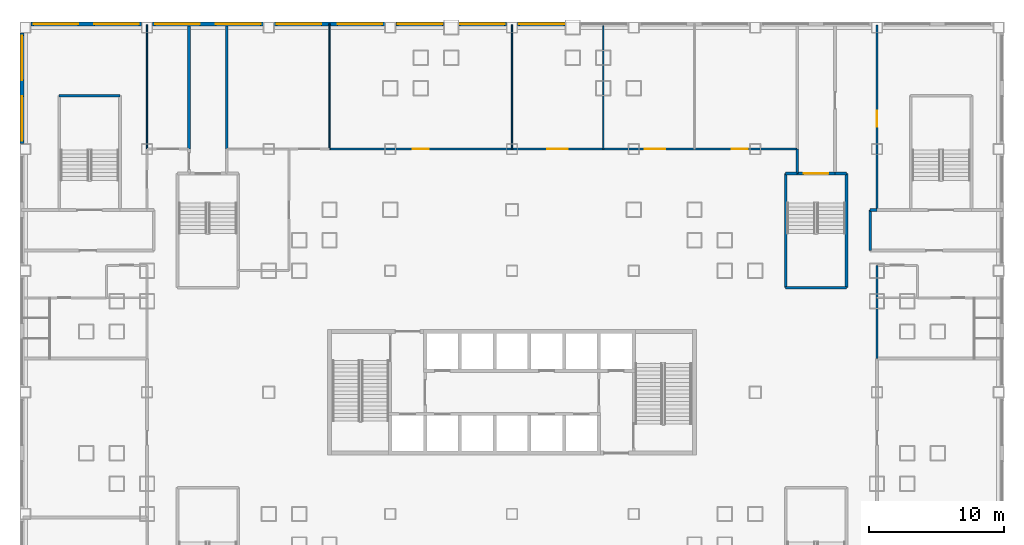
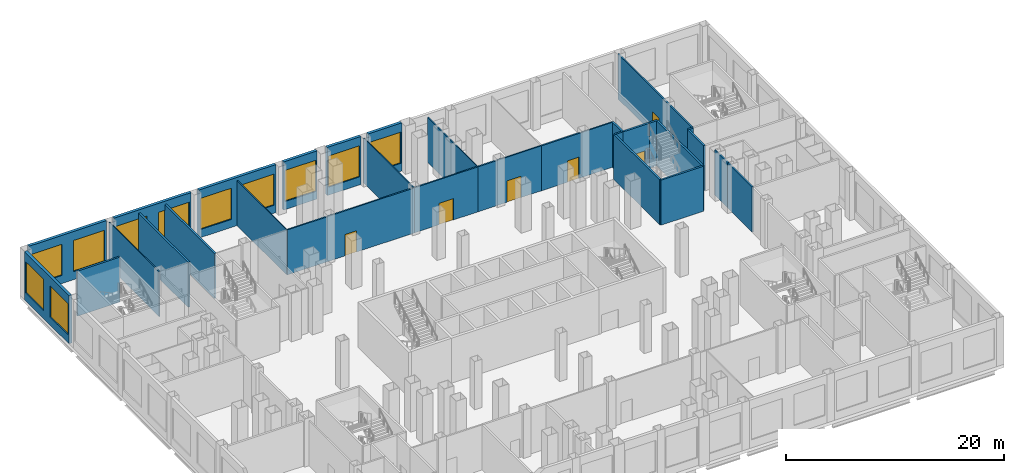
# One storey, part 6 of 26: 30 walls, 11 windows, 6 doors, 17 openings.
"""IFC4 building model written with IfcOpenShell, lengths in metres."""

from ifc_helpers import new_model, si_unit, direction, frame, frame_2d, origin, place, context, subcontext, project, spatial, rectangle, extrude, material, layer, layer_set, type_object, element, fill, save


model = new_model("IFC4")

# Units and contexts
model_context = context("Model", 3, precision=1e-05, world=origin(), true_north=direction((0.0, 1.0)))
body_context = subcontext(model_context, "Body", "Model", "MODEL_VIEW")
ifc_project = project(units=[si_unit("LENGTHUNIT", "METRE"), si_unit("AREAUNIT", "SQUARE_METRE"), si_unit("VOLUMEUNIT", "CUBIC_METRE"), si_unit("PLANEANGLEUNIT", "RADIAN"), si_unit("MASSUNIT", "GRAM", prefix="KILO")], contexts=[model_context])

# Site, building, storey
site_placement = place(None, origin())
site = spatial("IfcSite", under=ifc_project, at=site_placement, CompositionType="ELEMENT")
building_placement = place(site_placement, origin())
building = spatial("IfcBuilding", under=site, at=building_placement, Name="Caravel Reach Hotel and Residences", CompositionType="ELEMENT")
storey_placement = place(building_placement, frame((0.0, 0.0, 12.0)))
storey = spatial("IfcBuildingStorey", under=building, at=storey_placement, Name="L02", CompositionType="ELEMENT", Elevation=12.0)

# Walls
ifc_material_1 = material(Name="Autoclaved aerated block wall")
ifc_layer_1 = layer(ifc_material_1, 0.199951171875)
ifc_layer_set_1 = layer_set([ifc_layer_1], Name="Compartment wall 200 mm EI 120")
wall_type_1 = type_object("IfcWallType", Name="Compartment wall 200 mm EI 120", PredefinedType="PARTITIONING", material=ifc_layer_set_1)
wall_1_placement = place(storey_placement, frame((58.0, 40.5, 0.0), z_axis=(0.0, 0.0, 1.0), x_axis=(1.0, 0.0, 0.0)))
element("IfcWall", 1, at=wall_1_placement, inside=storey, type_object=wall_type_1, Name="L02 wall w052", PredefinedType="PARTITIONING", context=body_context, shape_type="SweptSolid", body=[
    extrude(rectangle(XDim=0.5, YDim=0.199951171875, at=frame_2d((0.25, 0.0))), origin(), (0.0, 0.0, 1.0), 5.050048828125),
])
wall_2_placement = place(storey_placement, frame((10.39990234375, 45.0, 0.0), z_axis=(0.0, 0.0, 1.0), x_axis=(0.0, 1.0, 0.0)))
element("IfcWall", 2, at=wall_2_placement, inside=storey, type_object=wall_type_1, Name="L02 wall w058", PredefinedType="PARTITIONING", context=body_context, shape_type="SweptSolid", body=[
    extrude(rectangle(XDim=9.1201171875, YDim=0.199951171875, at=frame_2d((4.56005859375, 0.0))), origin(), (0.0, 0.0, 1.0), 5.050048828125),
])
wall_3_placement = place(storey_placement, frame((52.60009765625, 43.199951171875, 0.0), z_axis=(0.0, 0.0, 1.0), x_axis=(0.0, 1.0, 0.0)))
element("IfcWall", 3, at=wall_3_placement, inside=storey, type_object=wall_type_1, Name="L02 wall w067", PredefinedType="PARTITIONING", context=body_context, shape_type="SweptSolid", body=[
    extrude(rectangle(XDim=1.800048828125, YDim=0.199951171875, at=frame_2d((0.89990234375, 0.0))), origin(), (0.0, 0.0, 1.0), 5.050048828125),
])
wall_4_placement = place(storey_placement, frame((58.0, 37.5, 0.0), z_axis=(0.0, 0.0, 1.0), x_axis=(0.0, 1.0, 0.0)))
element("IfcWall", 4, at=wall_4_placement, inside=storey, type_object=wall_type_1, Name="L02 wall w074", PredefinedType="PARTITIONING", context=body_context, shape_type="SweptSolid", body=[
    extrude(rectangle(XDim=3.0, YDim=0.199951171875, at=frame_2d((1.5, 0.0))), origin(), (0.0, 0.0, 1.0), 5.050048828125),
])
wall_5_placement = place(storey_placement, frame((7.60009765625, 45.0, 0.0), z_axis=(0.0, 0.0, 1.0), x_axis=(0.0, 1.0, 0.0)))
element("IfcWall", 5, at=wall_5_placement, inside=storey, type_object=wall_type_1, Name="L02 wall w079", PredefinedType="PARTITIONING", context=body_context, shape_type="SweptSolid", body=[
    extrude(rectangle(XDim=9.1201171875, YDim=0.199951171875, at=frame_2d((4.56005859375, 0.0))), origin(), (0.0, 0.0, 1.0), 5.050048828125),
])

# Wall, opening, door
ifc_material_2 = material(Name="Gypsum board on steel stud, fire-rated", Category="steel")
ifc_layer_2 = layer(ifc_material_2, 0.14990234375)
ifc_layer_set_2 = layer_set([ifc_layer_2], Name="Corridor wall 150 mm EI 60")
wall_type_2 = type_object("IfcWallType", Name="Corridor wall 150 mm EI 60", PredefinedType="PARTITIONING", material=ifc_layer_set_2)
wall_6_placement = place(storey_placement, frame((18.0, 45.0, 0.0), z_axis=(0.0, 0.0, 1.0), x_axis=(1.0, 0.0, 0.0)))
wall_6 = element("IfcWall", 6, at=wall_6_placement, inside=storey, type_object=wall_type_2, Name="L02 wall w008", PredefinedType="PARTITIONING", context=body_context, shape_type="SweptSolid", body=[
    extrude(rectangle(XDim=13.5, YDim=0.14990234375, at=frame_2d((6.75, 0.0))), origin(), (0.0, 0.0, 1.0), 5.050048828125),
])
opening_1_placement = place(wall_6_placement, frame((6.14990234375, 0.0, 0.0)))
opening_1 = element("IfcOpeningElement", 7, at=opening_1_placement, cuts=wall_6, Name="Opening D02-045", PredefinedType="OPENING", context=body_context, shape_type="SweptSolid", body=[
    extrude(rectangle(XDim=1.199951171875, YDim=2.39990234375, at=frame_2d((0.60009765625, 1.199951171875))), frame((0.0, 0.0849609375, 0.0), z_axis=(0.0, -1.0, 0.0), x_axis=(1.0, 0.0, 0.0)), (0.0, 0.0, 1.0), 0.169921875),
])
ifc_material_3 = material(Name="Timber and steel door leaf", Category="steel")
door_type_1 = type_object("IfcDoorType", Name="Glazed door 1200 x 2400", OperationType="SINGLE_SWING_LEFT", PredefinedType="DOOR", material=ifc_material_3)
door_1_placement = place(opening_1_placement, origin())
door_1 = element("IfcDoor", 8, at=door_1_placement, inside=storey, type_object=door_type_1, Name="door D02-045", OperationType="SINGLE_SWING_RIGHT", OverallHeight=2.39990234375, OverallWidth=1.199951171875, PredefinedType="DOOR", context=body_context, shape_type="SweptSolid", body=[
    extrude(rectangle(XDim=1.199951171875, YDim=2.39990234375, at=frame_2d((0.60009765625, 1.199951171875))), frame((0.0, 0.02490234375, 0.0), z_axis=(0.0, -1.0, 0.0), x_axis=(1.0, 0.0, 0.0)), (0.0, 0.0, 1.0), 0.050048828125),
])
fill(opening_1, door_1)

wall_7_placement = place(storey_placement, frame((31.5, 45.0, 0.0), z_axis=(0.0, 0.0, 1.0), x_axis=(1.0, 0.0, 0.0)))
wall_7 = element("IfcWall", 9, at=wall_7_placement, inside=storey, type_object=wall_type_2, Name="L02 wall w009", PredefinedType="PARTITIONING", context=body_context, shape_type="SweptSolid", body=[
    extrude(rectangle(XDim=6.75, YDim=0.14990234375, at=frame_2d((3.375, 0.0))), origin(), (0.0, 0.0, 1.0), 5.050048828125),
])
opening_2_placement = place(wall_7_placement, frame((2.625, 0.0, 0.0)))
opening_2 = element("IfcOpeningElement", 10, at=opening_2_placement, cuts=wall_7, Name="Opening D02-046", PredefinedType="OPENING", context=body_context, shape_type="SweptSolid", body=[
    extrude(rectangle(XDim=1.5, YDim=2.39990234375, at=frame_2d((0.75, 1.199951171875))), frame((0.0, 0.0849609375, 0.0), z_axis=(0.0, -1.0, 0.0), x_axis=(1.0, 0.0, 0.0)), (0.0, 0.0, 1.0), 0.169921875),
])
ifc_material_4 = material(Name="Timber and steel door leaf", Category="steel")
door_type_2 = type_object("IfcDoorType", Name="Shopfront door 1500 x 2400", OperationType="DOUBLE_DOOR_SINGLE_SWING", PredefinedType="DOOR", material=ifc_material_4)
door_2_placement = place(opening_2_placement, origin())
door_2 = element("IfcDoor", 11, at=door_2_placement, inside=storey, type_object=door_type_2, Name="door D02-046", OperationType="DOUBLE_DOOR_SINGLE_SWING", OverallHeight=2.39990234375, OverallWidth=1.5, PredefinedType="DOOR", context=body_context, shape_type="SweptSolid", body=[
    extrude(rectangle(XDim=1.5, YDim=2.39990234375, at=frame_2d((0.75, 1.199951171875))), frame((0.0, 0.02490234375, 0.0), z_axis=(0.0, -1.0, 0.0), x_axis=(1.0, 0.0, 0.0)), (0.0, 0.0, 1.0), 0.050048828125),
])
fill(opening_2, door_2)

wall_8_placement = place(storey_placement, frame((38.25, 45.0, 0.0), z_axis=(0.0, 0.0, 1.0), x_axis=(1.0, 0.0, 0.0)))
wall_8 = element("IfcWall", 12, at=wall_8_placement, inside=storey, type_object=wall_type_2, Name="L02 wall w010", PredefinedType="PARTITIONING", context=body_context, shape_type="SweptSolid", body=[
    extrude(rectangle(XDim=6.75, YDim=0.14990234375, at=frame_2d((3.375, 0.0))), origin(), (0.0, 0.0, 1.0), 5.050048828125),
])
opening_3_placement = place(wall_8_placement, frame((3.074951171875, 0.0, 0.0)))
opening_3 = element("IfcOpeningElement", 13, at=opening_3_placement, cuts=wall_8, Name="Opening D02-047", PredefinedType="OPENING", context=body_context, shape_type="SweptSolid", body=[
    extrude(rectangle(XDim=1.5, YDim=2.39990234375, at=frame_2d((0.75, 1.199951171875))), frame((0.0, 0.0849609375, 0.0), z_axis=(0.0, -1.0, 0.0), x_axis=(1.0, 0.0, 0.0)), (0.0, 0.0, 1.0), 0.169921875),
])
door_3_placement = place(opening_3_placement, origin())
door_3 = element("IfcDoor", 14, at=door_3_placement, inside=storey, type_object=door_type_2, Name="door D02-047", OperationType="DOUBLE_DOOR_SINGLE_SWING", OverallHeight=2.39990234375, OverallWidth=1.5, PredefinedType="DOOR", context=body_context, shape_type="SweptSolid", body=[
    extrude(rectangle(XDim=1.5, YDim=2.39990234375, at=frame_2d((0.75, 1.199951171875))), frame((0.0, 0.02490234375, 0.0), z_axis=(0.0, -1.0, 0.0), x_axis=(1.0, 0.0, 0.0)), (0.0, 0.0, 1.0), 0.050048828125),
])
fill(opening_3, door_3)

wall_9_placement = place(storey_placement, frame((45.0, 45.0, 0.0), z_axis=(0.0, 0.0, 1.0), x_axis=(1.0, 0.0, 0.0)))
wall_9 = element("IfcWall", 15, at=wall_9_placement, inside=storey, type_object=wall_type_2, Name="L02 wall w011", PredefinedType="PARTITIONING", context=body_context, shape_type="SweptSolid", body=[
    extrude(rectangle(XDim=7.60009765625, YDim=0.14990234375, at=frame_2d((3.800048828125, 0.0))), origin(), (0.0, 0.0, 1.0), 5.050048828125),
])
opening_4_placement = place(wall_9_placement, frame((2.75, 0.0, 0.0)))
opening_4 = element("IfcOpeningElement", 16, at=opening_4_placement, cuts=wall_9, Name="Opening D02-048", PredefinedType="OPENING", context=body_context, shape_type="SweptSolid", body=[
    extrude(rectangle(XDim=1.199951171875, YDim=2.39990234375, at=frame_2d((0.60009765625, 1.199951171875))), frame((0.0, 0.0849609375, 0.0), z_axis=(0.0, -1.0, 0.0), x_axis=(1.0, 0.0, 0.0)), (0.0, 0.0, 1.0), 0.169921875),
])
door_4_placement = place(opening_4_placement, origin())
door_4 = element("IfcDoor", 17, at=door_4_placement, inside=storey, type_object=door_type_1, Name="door D02-048", OperationType="SINGLE_SWING_LEFT", OverallHeight=2.39990234375, OverallWidth=1.199951171875, PredefinedType="DOOR", context=body_context, shape_type="SweptSolid", body=[
    extrude(rectangle(XDim=1.199951171875, YDim=2.39990234375, at=frame_2d((0.60009765625, 1.199951171875))), frame((0.0, 0.02490234375, 0.0), z_axis=(0.0, -1.0, 0.0), x_axis=(1.0, 0.0, 0.0)), (0.0, 0.0, 1.0), 0.050048828125),
])
fill(opening_4, door_4)

# Walls
wall_10_placement = place(storey_placement, frame((58.5, 29.5, 0.0), z_axis=(0.0, 0.0, 1.0), x_axis=(0.0, 1.0, 0.0)))
element("IfcWall", 18, at=wall_10_placement, inside=storey, type_object=wall_type_2, Name="L02 wall w023", PredefinedType="PARTITIONING", context=body_context, shape_type="SweptSolid", body=[
    extrude(rectangle(XDim=4.5, YDim=0.14990234375, at=frame_2d((2.25, 0.0))), origin(), (0.0, 0.0, 1.0), 5.050048828125),
])
wall_11_placement = place(storey_placement, frame((58.5, 34.0, 0.0), z_axis=(0.0, 0.0, 1.0), x_axis=(0.0, 1.0, 0.0)))
element("IfcWall", 19, at=wall_11_placement, inside=storey, type_object=wall_type_2, Name="L02 wall w024", PredefinedType="PARTITIONING", context=body_context, shape_type="SweptSolid", body=[
    extrude(rectangle(XDim=2.39990234375, YDim=0.14990234375, at=frame_2d((1.199951171875, 0.0))), origin(), (0.0, 0.0, 1.0), 5.050048828125),
])

# Wall, opening, door
wall_12_placement = place(storey_placement, frame((58.5, 40.5, 0.0), z_axis=(0.0, 0.0, 1.0), x_axis=(0.0, 1.0, 0.0)))
wall_12 = element("IfcWall", 20, at=wall_12_placement, inside=storey, type_object=wall_type_2, Name="L02 wall w025", PredefinedType="PARTITIONING", context=body_context, shape_type="SweptSolid", body=[
    extrude(rectangle(XDim=13.68994140625, YDim=0.14990234375, at=frame_2d((6.844970703125, 0.0))), origin(), (0.0, 0.0, 1.0), 5.050048828125),
])
opening_5_placement = place(wall_12_placement, frame((6.14990234375, 0.0, 0.0)))
opening_5 = element("IfcOpeningElement", 21, at=opening_5_placement, cuts=wall_12, Name="Opening D02-037", PredefinedType="OPENING", context=body_context, shape_type="SweptSolid", body=[
    extrude(rectangle(XDim=1.199951171875, YDim=2.39990234375, at=frame_2d((0.60009765625, 1.199951171875))), frame((0.0, 0.0849609375, 0.0), z_axis=(0.0, -1.0, 0.0), x_axis=(1.0, 0.0, 0.0)), (0.0, 0.0, 1.0), 0.169921875),
])
door_5_placement = place(opening_5_placement, origin())
door_5 = element("IfcDoor", 22, at=door_5_placement, inside=storey, type_object=door_type_1, Name="door D02-037", OperationType="SINGLE_SWING_RIGHT", OverallHeight=2.39990234375, OverallWidth=1.199951171875, PredefinedType="DOOR", context=body_context, shape_type="SweptSolid", body=[
    extrude(rectangle(XDim=1.199951171875, YDim=2.39990234375, at=frame_2d((0.60009765625, 1.199951171875))), frame((0.0, 0.02490234375, 0.0), z_axis=(0.0, -1.0, 0.0), x_axis=(1.0, 0.0, 0.0)), (0.0, 0.0, 1.0), 0.050048828125),
])
fill(opening_5, door_5)

# Wall, opening, window
ifc_material_5 = material(Name="Insulated wall, stone cladding", Category="masonry")
ifc_layer_3 = layer(ifc_material_5, 0.300048828125)
ifc_layer_set_3 = layer_set([ifc_layer_3], Name="EW2 Podium stone-clad wall")
wall_type_3 = type_object("IfcWallType", Name="EW2 Podium stone-clad wall", PredefinedType="SOLIDWALL", material=ifc_layer_set_3)
wall_13_placement = place(storey_placement, frame((35.449951171875, 54.25, 0.0), z_axis=(0.0, 0.0, 1.0), x_axis=(-1.0, 0.0, 0.0)))
wall_13 = element("IfcWall", 23, at=wall_13_placement, inside=storey, type_object=wall_type_3, Name="External wall L02 N2.5", PredefinedType="SOLIDWALL", context=body_context, shape_type="SweptSolid", body=[
    extrude(rectangle(XDim=3.550048828125, YDim=0.300048828125, at=frame_2d((1.77490234375, 0.0))), origin(), (0.0, 0.0, 1.0), 5.39990234375),
])
opening_6_placement = place(wall_13_placement, frame((0.10009765625, 0.0, 0.89990234375)))
opening_6 = element("IfcOpeningElement", 24, at=opening_6_placement, cuts=wall_13, Name="Opening WN30", PredefinedType="OPENING", context=body_context, shape_type="SweptSolid", body=[
    extrude(rectangle(XDim=3.300048828125, YDim=3.5, at=frame_2d((1.64990234375, 1.75))), frame((0.0, 0.159912109375, 0.0), z_axis=(0.0, -1.0, 0.0), x_axis=(1.0, 0.0, 0.0)), (0.0, 0.0, 1.0), 0.320068359375),
])
ifc_material_6 = material(Name="Dark low-e glazing in black aluminium frame", Category="aluminium")
window_type = type_object("IfcWindowType", Name="Podium window 3300 x 3500", PartitioningType="SINGLE_PANEL", PredefinedType="WINDOW", material=ifc_material_6)
window_1_placement = place(opening_6_placement, origin())
window_1 = element("IfcWindow", 25, at=window_1_placement, inside=storey, type_object=window_type, Name="Window L02 N2.5.1", OverallHeight=3.5, OverallWidth=3.300048828125, PartitioningType="SINGLE_PANEL", PredefinedType="WINDOW", context=body_context, shape_type="SweptSolid", body=[
    extrude(rectangle(XDim=3.300048828125, YDim=3.5, at=frame_2d((1.64990234375, 1.75))), frame((0.0, 0.030029296875, 0.0), z_axis=(0.0, -1.0, 0.0), x_axis=(1.0, 0.0, 0.0)), (0.0, 0.0, 1.0), 0.06005859375),
])
fill(opening_6, window_1)

wall_14_placement = place(storey_placement, frame((31.10009765625, 54.25, 0.0), z_axis=(0.0, 0.0, 1.0), x_axis=(-1.0, 0.0, 0.0)))
wall_14 = element("IfcWall", 26, at=wall_14_placement, inside=storey, type_object=wall_type_3, Name="External wall L02 N2.6", PredefinedType="SOLIDWALL", context=body_context, shape_type="SweptSolid", body=[
    extrude(rectangle(XDim=3.550048828125, YDim=0.300048828125, at=frame_2d((1.77490234375, 0.0))), origin(), (0.0, 0.0, 1.0), 5.39990234375),
])
opening_7_placement = place(wall_14_placement, frame((0.14990234375, 0.0, 0.89990234375)))
opening_7 = element("IfcOpeningElement", 27, at=opening_7_placement, cuts=wall_14, Name="Opening WN30", PredefinedType="OPENING", context=body_context, shape_type="SweptSolid", body=[
    extrude(rectangle(XDim=3.300048828125, YDim=3.5, at=frame_2d((1.64990234375, 1.75))), frame((0.0, 0.159912109375, 0.0), z_axis=(0.0, -1.0, 0.0), x_axis=(1.0, 0.0, 0.0)), (0.0, 0.0, 1.0), 0.320068359375),
])
window_2_placement = place(opening_7_placement, origin())
window_2 = element("IfcWindow", 28, at=window_2_placement, inside=storey, type_object=window_type, Name="Window L02 N2.6.1", OverallHeight=3.5, OverallWidth=3.300048828125, PartitioningType="SINGLE_PANEL", PredefinedType="WINDOW", context=body_context, shape_type="SweptSolid", body=[
    extrude(rectangle(XDim=3.300048828125, YDim=3.5, at=frame_2d((1.64990234375, 1.75))), frame((0.0, 0.030029296875, 0.0), z_axis=(0.0, -1.0, 0.0), x_axis=(1.0, 0.0, 0.0)), (0.0, 0.0, 1.0), 0.06005859375),
])
fill(opening_7, window_2)

wall_15_placement = place(storey_placement, frame((26.449951171875, 54.25, 0.0), z_axis=(0.0, 0.0, 1.0), x_axis=(-1.0, 0.0, 0.0)))
wall_15 = element("IfcWall", 29, at=wall_15_placement, inside=storey, type_object=wall_type_3, Name="External wall L02 N2.7", PredefinedType="SOLIDWALL", context=body_context, shape_type="SweptSolid", body=[
    extrude(rectangle(XDim=3.550048828125, YDim=0.300048828125, at=frame_2d((1.77490234375, 0.0))), origin(), (0.0, 0.0, 1.0), 5.39990234375),
])
opening_8_placement = place(wall_15_placement, frame((0.10009765625, 0.0, 0.89990234375)))
opening_8 = element("IfcOpeningElement", 30, at=opening_8_placement, cuts=wall_15, Name="Opening WN30", PredefinedType="OPENING", context=body_context, shape_type="SweptSolid", body=[
    extrude(rectangle(XDim=3.300048828125, YDim=3.5, at=frame_2d((1.64990234375, 1.75))), frame((0.0, 0.159912109375, 0.0), z_axis=(0.0, -1.0, 0.0), x_axis=(1.0, 0.0, 0.0)), (0.0, 0.0, 1.0), 0.320068359375),
])
window_3_placement = place(opening_8_placement, origin())
window_3 = element("IfcWindow", 31, at=window_3_placement, inside=storey, type_object=window_type, Name="Window L02 N2.7.1", OverallHeight=3.5, OverallWidth=3.300048828125, PartitioningType="SINGLE_PANEL", PredefinedType="WINDOW", context=body_context, shape_type="SweptSolid", body=[
    extrude(rectangle(XDim=3.300048828125, YDim=3.5, at=frame_2d((1.64990234375, 1.75))), frame((0.0, 0.030029296875, 0.0), z_axis=(0.0, -1.0, 0.0), x_axis=(1.0, 0.0, 0.0)), (0.0, 0.0, 1.0), 0.06005859375),
])
fill(opening_8, window_3)

# Wall, openings, windows
wall_16_placement = place(storey_placement, frame((22.10009765625, 54.25, 0.0), z_axis=(0.0, 0.0, 1.0), x_axis=(-1.0, 0.0, 0.0)))
wall_16 = element("IfcWall", 32, at=wall_16_placement, inside=storey, type_object=wall_type_3, Name="External wall L02 N2.8", PredefinedType="SOLIDWALL", context=body_context, shape_type="SweptSolid", body=[
    extrude(rectangle(XDim=8.2001953125, YDim=0.300048828125, at=frame_2d((4.10009765625, 0.0))), origin(), (0.0, 0.0, 1.0), 5.39990234375),
])
opening_9_placement = place(wall_16_placement, frame((0.199951171875, 0.0, 0.89990234375)))
opening_9 = element("IfcOpeningElement", 33, at=opening_9_placement, cuts=wall_16, Name="Opening WN30", PredefinedType="OPENING", context=body_context, shape_type="SweptSolid", body=[
    extrude(rectangle(XDim=3.300048828125, YDim=3.5, at=frame_2d((1.64990234375, 1.75))), frame((0.0, 0.159912109375, 0.0), z_axis=(0.0, -1.0, 0.0), x_axis=(1.0, 0.0, 0.0)), (0.0, 0.0, 1.0), 0.320068359375),
])
opening_10_placement = place(wall_16_placement, frame((4.699951171875, 0.0, 0.89990234375)))
opening_10 = element("IfcOpeningElement", 34, at=opening_10_placement, cuts=wall_16, Name="Opening WN30", PredefinedType="OPENING", context=body_context, shape_type="SweptSolid", body=[
    extrude(rectangle(XDim=3.300048828125, YDim=3.5, at=frame_2d((1.64990234375, 1.75))), frame((0.0, 0.159912109375, 0.0), z_axis=(0.0, -1.0, 0.0), x_axis=(1.0, 0.0, 0.0)), (0.0, 0.0, 1.0), 0.320068359375),
])
window_4_placement = place(opening_9_placement, origin())
window_4 = element("IfcWindow", 35, at=window_4_placement, inside=storey, type_object=window_type, Name="Window L02 N2.8.1", OverallHeight=3.5, OverallWidth=3.300048828125, PartitioningType="SINGLE_PANEL", PredefinedType="WINDOW", context=body_context, shape_type="SweptSolid", body=[
    extrude(rectangle(XDim=3.300048828125, YDim=3.5, at=frame_2d((1.64990234375, 1.75))), frame((0.0, 0.030029296875, 0.0), z_axis=(0.0, -1.0, 0.0), x_axis=(1.0, 0.0, 0.0)), (0.0, 0.0, 1.0), 0.06005859375),
])
fill(opening_9, window_4)
window_5_placement = place(opening_10_placement, origin())
window_5 = element("IfcWindow", 36, at=window_5_placement, inside=storey, type_object=window_type, Name="Window L02 N2.8.2", OverallHeight=3.5, OverallWidth=3.300048828125, PartitioningType="SINGLE_PANEL", PredefinedType="WINDOW", context=body_context, shape_type="SweptSolid", body=[
    extrude(rectangle(XDim=3.300048828125, YDim=3.5, at=frame_2d((1.64990234375, 1.75))), frame((0.0, 0.030029296875, 0.0), z_axis=(0.0, -1.0, 0.0), x_axis=(1.0, 0.0, 0.0)), (0.0, 0.0, 1.0), 0.06005859375),
])
fill(opening_10, window_5)

wall_17_placement = place(storey_placement, frame((13.10009765625, 54.25, 0.0), z_axis=(0.0, 0.0, 1.0), x_axis=(-1.0, 0.0, 0.0)))
wall_17 = element("IfcWall", 37, at=wall_17_placement, inside=storey, type_object=wall_type_3, Name="External wall L02 N2.9", PredefinedType="SOLIDWALL", context=body_context, shape_type="SweptSolid", body=[
    extrude(rectangle(XDim=8.2001953125, YDim=0.300048828125, at=frame_2d((4.10009765625, 0.0))), origin(), (0.0, 0.0, 1.0), 5.39990234375),
])
opening_11_placement = place(wall_17_placement, frame((0.199951171875, 0.0, 0.89990234375)))
opening_11 = element("IfcOpeningElement", 38, at=opening_11_placement, cuts=wall_17, Name="Opening WN30", PredefinedType="OPENING", context=body_context, shape_type="SweptSolid", body=[
    extrude(rectangle(XDim=3.300048828125, YDim=3.5, at=frame_2d((1.64990234375, 1.75))), frame((0.0, 0.159912109375, 0.0), z_axis=(0.0, -1.0, 0.0), x_axis=(1.0, 0.0, 0.0)), (0.0, 0.0, 1.0), 0.320068359375),
])
opening_12_placement = place(wall_17_placement, frame((4.699951171875, 0.0, 0.89990234375)))
opening_12 = element("IfcOpeningElement", 39, at=opening_12_placement, cuts=wall_17, Name="Opening WN30", PredefinedType="OPENING", context=body_context, shape_type="SweptSolid", body=[
    extrude(rectangle(XDim=3.300048828125, YDim=3.5, at=frame_2d((1.64990234375, 1.75))), frame((0.0, 0.159912109375, 0.0), z_axis=(0.0, -1.0, 0.0), x_axis=(1.0, 0.0, 0.0)), (0.0, 0.0, 1.0), 0.320068359375),
])
window_6_placement = place(opening_11_placement, origin())
window_6 = element("IfcWindow", 40, at=window_6_placement, inside=storey, type_object=window_type, Name="Window L02 N2.9.1", OverallHeight=3.5, OverallWidth=3.300048828125, PartitioningType="SINGLE_PANEL", PredefinedType="WINDOW", context=body_context, shape_type="SweptSolid", body=[
    extrude(rectangle(XDim=3.300048828125, YDim=3.5, at=frame_2d((1.64990234375, 1.75))), frame((0.0, 0.030029296875, 0.0), z_axis=(0.0, -1.0, 0.0), x_axis=(1.0, 0.0, 0.0)), (0.0, 0.0, 1.0), 0.06005859375),
])
fill(opening_11, window_6)
window_7_placement = place(opening_12_placement, origin())
window_7 = element("IfcWindow", 41, at=window_7_placement, inside=storey, type_object=window_type, Name="Window L02 N2.9.2", OverallHeight=3.5, OverallWidth=3.300048828125, PartitioningType="SINGLE_PANEL", PredefinedType="WINDOW", context=body_context, shape_type="SweptSolid", body=[
    extrude(rectangle(XDim=3.300048828125, YDim=3.5, at=frame_2d((1.64990234375, 1.75))), frame((0.0, 0.030029296875, 0.0), z_axis=(0.0, -1.0, 0.0), x_axis=(1.0, 0.0, 0.0)), (0.0, 0.0, 1.0), 0.06005859375),
])
fill(opening_12, window_7)

wall_18_placement = place(storey_placement, frame((4.10009765625, 54.25, 0.0), z_axis=(0.0, 0.0, 1.0), x_axis=(-1.0, 0.0, 0.0)))
wall_18 = element("IfcWall", 42, at=wall_18_placement, inside=storey, type_object=wall_type_3, Name="External wall L02 N2.10", PredefinedType="SOLIDWALL", context=body_context, shape_type="SweptSolid", body=[
    extrude(rectangle(XDim=8.2001953125, YDim=0.300048828125, at=frame_2d((4.10009765625, 0.0))), origin(), (0.0, 0.0, 1.0), 5.39990234375),
])
opening_13_placement = place(wall_18_placement, frame((0.199951171875, 0.0, 0.89990234375)))
opening_13 = element("IfcOpeningElement", 43, at=opening_13_placement, cuts=wall_18, Name="Opening WN30", PredefinedType="OPENING", context=body_context, shape_type="SweptSolid", body=[
    extrude(rectangle(XDim=3.300048828125, YDim=3.5, at=frame_2d((1.64990234375, 1.75))), frame((0.0, 0.159912109375, 0.0), z_axis=(0.0, -1.0, 0.0), x_axis=(1.0, 0.0, 0.0)), (0.0, 0.0, 1.0), 0.320068359375),
])
opening_14_placement = place(wall_18_placement, frame((4.699951171875, 0.0, 0.89990234375)))
opening_14 = element("IfcOpeningElement", 44, at=opening_14_placement, cuts=wall_18, Name="Opening WN30", PredefinedType="OPENING", context=body_context, shape_type="SweptSolid", body=[
    extrude(rectangle(XDim=3.300048828125, YDim=3.5, at=frame_2d((1.64990234375, 1.75))), frame((0.0, 0.159912109375, 0.0), z_axis=(0.0, -1.0, 0.0), x_axis=(1.0, 0.0, 0.0)), (0.0, 0.0, 1.0), 0.320068359375),
])
window_8_placement = place(opening_13_placement, origin())
window_8 = element("IfcWindow", 45, at=window_8_placement, inside=storey, type_object=window_type, Name="Window L02 N2.10.1", OverallHeight=3.5, OverallWidth=3.300048828125, PartitioningType="SINGLE_PANEL", PredefinedType="WINDOW", context=body_context, shape_type="SweptSolid", body=[
    extrude(rectangle(XDim=3.300048828125, YDim=3.5, at=frame_2d((1.64990234375, 1.75))), frame((0.0, 0.030029296875, 0.0), z_axis=(0.0, -1.0, 0.0), x_axis=(1.0, 0.0, 0.0)), (0.0, 0.0, 1.0), 0.06005859375),
])
fill(opening_13, window_8)
window_9_placement = place(opening_14_placement, origin())
window_9 = element("IfcWindow", 46, at=window_9_placement, inside=storey, type_object=window_type, Name="Window L02 N2.10.2", OverallHeight=3.5, OverallWidth=3.300048828125, PartitioningType="SINGLE_PANEL", PredefinedType="WINDOW", context=body_context, shape_type="SweptSolid", body=[
    extrude(rectangle(XDim=3.300048828125, YDim=3.5, at=frame_2d((1.64990234375, 1.75))), frame((0.0, 0.030029296875, 0.0), z_axis=(0.0, -1.0, 0.0), x_axis=(1.0, 0.0, 0.0)), (0.0, 0.0, 1.0), 0.06005859375),
])
fill(opening_14, window_9)

wall_19_placement = place(storey_placement, frame((-4.75, 53.60009765625, 0.0), z_axis=(0.0, 0.0, 1.0), x_axis=(0.0, -1.0, 0.0)))
wall_19 = element("IfcWall", 47, at=wall_19_placement, inside=storey, type_object=wall_type_3, Name="External wall L02 W3.1", PredefinedType="SOLIDWALL", context=body_context, shape_type="SweptSolid", body=[
    extrude(rectangle(XDim=8.2001953125, YDim=0.300048828125, at=frame_2d((4.10009765625, 0.0))), origin(), (0.0, 0.0, 1.0), 5.39990234375),
])
opening_15_placement = place(wall_19_placement, frame((0.199951171875, 0.0, 0.89990234375)))
opening_15 = element("IfcOpeningElement", 48, at=opening_15_placement, cuts=wall_19, Name="Opening WN30", PredefinedType="OPENING", context=body_context, shape_type="SweptSolid", body=[
    extrude(rectangle(XDim=3.300048828125, YDim=3.5, at=frame_2d((1.64990234375, 1.75))), frame((0.0, 0.159912109375, 0.0), z_axis=(0.0, -1.0, 0.0), x_axis=(1.0, 0.0, 0.0)), (0.0, 0.0, 1.0), 0.320068359375),
])
opening_16_placement = place(wall_19_placement, frame((4.699951171875, 0.0, 0.89990234375)))
opening_16 = element("IfcOpeningElement", 49, at=opening_16_placement, cuts=wall_19, Name="Opening WN30", PredefinedType="OPENING", context=body_context, shape_type="SweptSolid", body=[
    extrude(rectangle(XDim=3.300048828125, YDim=3.5, at=frame_2d((1.64990234375, 1.75))), frame((0.0, 0.159912109375, 0.0), z_axis=(0.0, -1.0, 0.0), x_axis=(1.0, 0.0, 0.0)), (0.0, 0.0, 1.0), 0.320068359375),
])
window_10_placement = place(opening_15_placement, origin())
window_10 = element("IfcWindow", 50, at=window_10_placement, inside=storey, type_object=window_type, Name="Window L02 W3.1.1", OverallHeight=3.5, OverallWidth=3.300048828125, PartitioningType="SINGLE_PANEL", PredefinedType="WINDOW", context=body_context, shape_type="SweptSolid", body=[
    extrude(rectangle(XDim=3.300048828125, YDim=3.5, at=frame_2d((1.64990234375, 1.75))), frame((0.0, 0.030029296875, 0.0), z_axis=(0.0, -1.0, 0.0), x_axis=(1.0, 0.0, 0.0)), (0.0, 0.0, 1.0), 0.06005859375),
])
fill(opening_15, window_10)
window_11_placement = place(opening_16_placement, origin())
window_11 = element("IfcWindow", 51, at=window_11_placement, inside=storey, type_object=window_type, Name="Window L02 W3.1.2", OverallHeight=3.5, OverallWidth=3.300048828125, PartitioningType="SINGLE_PANEL", PredefinedType="WINDOW", context=body_context, shape_type="SweptSolid", body=[
    extrude(rectangle(XDim=3.300048828125, YDim=3.5, at=frame_2d((1.64990234375, 1.75))), frame((0.0, 0.030029296875, 0.0), z_axis=(0.0, -1.0, 0.0), x_axis=(1.0, 0.0, 0.0)), (0.0, 0.0, 1.0), 0.06005859375),
])
fill(opening_16, window_11)

# Walls
ifc_material_7 = material(Name="Gypsum board on steel stud", Category="steel")
ifc_layer_4 = layer(ifc_material_7, 0.10009765625)
ifc_layer_set_4 = layer_set([ifc_layer_4], Name="Partition 100 mm")
wall_type_4 = type_object("IfcWallType", Name="Partition 100 mm", PredefinedType="PARTITIONING", material=ifc_layer_set_4)
wall_20_placement = place(storey_placement, frame((18.0, 45.0, 0.0), z_axis=(0.0, 0.0, 1.0), x_axis=(0.0, 1.0, 0.0)))
element("IfcWall", 52, at=wall_20_placement, inside=storey, type_object=wall_type_4, Name="L02 wall w030", PredefinedType="PARTITIONING", context=body_context, shape_type="SweptSolid", body=[
    extrude(rectangle(XDim=9.2900390625, YDim=0.10009765625, at=frame_2d((4.64501953125, 0.0))), origin(), (0.0, 0.0, 1.0), 5.050048828125),
])
wall_21_placement = place(storey_placement, frame((31.5, 45.0, 0.0), z_axis=(0.0, 0.0, 1.0), x_axis=(0.0, 1.0, 0.0)))
element("IfcWall", 53, at=wall_21_placement, inside=storey, type_object=wall_type_4, Name="L02 wall w031", PredefinedType="PARTITIONING", context=body_context, shape_type="SweptSolid", body=[
    extrude(rectangle(XDim=9.18994140625, YDim=0.10009765625, at=frame_2d((4.594970703125, 0.0))), origin(), (0.0, 0.0, 1.0), 5.050048828125),
])
wall_22_placement = place(storey_placement, frame((38.25, 45.0, 0.0), z_axis=(0.0, 0.0, 1.0), x_axis=(0.0, 1.0, 0.0)))
element("IfcWall", 54, at=wall_22_placement, inside=storey, type_object=wall_type_4, Name="L02 wall w032", PredefinedType="PARTITIONING", context=body_context, shape_type="SweptSolid", body=[
    extrude(rectangle(XDim=9.1201171875, YDim=0.10009765625, at=frame_2d((4.56005859375, 0.0))), origin(), (0.0, 0.0, 1.0), 5.050048828125),
])
wall_23_placement = place(storey_placement, frame((4.5, 45.0, 0.0), z_axis=(0.0, 0.0, 1.0), x_axis=(0.0, 1.0, 0.0)))
element("IfcWall", 55, at=wall_23_placement, inside=storey, type_object=wall_type_4, Name="L02 wall w034", PredefinedType="PARTITIONING", context=body_context, shape_type="SweptSolid", body=[
    extrude(rectangle(XDim=9.18994140625, YDim=0.10009765625, at=frame_2d((4.594970703125, 0.0))), origin(), (0.0, 0.0, 1.0), 5.050048828125),
])
ifc_material_8 = material(Name="Concrete C60", Category="concrete")
ifc_layer_5 = layer(ifc_material_8, 0.199951171875)
ifc_layer_set_5 = layer_set([ifc_layer_5], Name="Stair enclosure wall 200 mm EI 120")
wall_type_5 = type_object("IfcWallType", Name="Stair enclosure wall 200 mm EI 120", PredefinedType="SHEAR", material=ifc_layer_set_5)
wall_24_placement = place(storey_placement, frame((51.75, 34.75, 0.0), z_axis=(0.0, 0.0, 1.0), x_axis=(1.0, 0.0, 0.0)))
element("IfcWall", 56, at=wall_24_placement, inside=storey, type_object=wall_type_5, Name="L02 wall w092", PredefinedType="SHEAR", context=body_context, shape_type="SweptSolid", body=[
    extrude(rectangle(XDim=4.5, YDim=0.199951171875, at=frame_2d((2.25, 0.0))), origin(), (0.0, 0.0, 1.0), 5.050048828125),
])
for number, where, z_axis, x_axis, name in (
    (57, (51.75, 43.199951171875, 0.0), (0.0, 0.0, 1.0), (1.0, 0.0, 0.0), "L02 wall w098"),
    (58, (55.39990234375, 43.199951171875, 0.0), (0.0, 0.0, 1.0), (1.0, 0.0, 0.0), "L02 wall w099"),
):
    element("IfcWall", number, at=place(storey_placement, frame(where, z_axis=z_axis, x_axis=x_axis)), inside=storey, type_object=wall_type_5, Name=name, PredefinedType="SHEAR", context=body_context, shape_type="SweptSolid", body=[
        extrude(rectangle(XDim=0.85009765625, YDim=0.199951171875, at=frame_2d((0.425048828125, 0.0))), origin(), (0.0, 0.0, 1.0), 5.050048828125),
    ])

# Wall, opening, door
wall_25_placement = place(storey_placement, frame((52.60009765625, 43.199951171875, 0.0), z_axis=(0.0, 0.0, 1.0), x_axis=(1.0, 0.0, 0.0)))
wall_25 = element("IfcWall", 59, at=wall_25_placement, inside=storey, type_object=wall_type_5, Name="L02 wall w100", PredefinedType="SHEAR", context=body_context, shape_type="SweptSolid", body=[
    extrude(rectangle(XDim=2.7998046875, YDim=0.199951171875, at=frame_2d((1.39990234375, 0.0))), origin(), (0.0, 0.0, 1.0), 5.050048828125),
])
opening_17_placement = place(wall_25_placement, frame((0.5, 0.0, 0.0)))
opening_17 = element("IfcOpeningElement", 60, at=opening_17_placement, cuts=wall_25, Name="Opening D02-017", PredefinedType="OPENING", context=body_context, shape_type="SweptSolid", body=[
    extrude(rectangle(XDim=1.800048828125, YDim=2.10009765625, at=frame_2d((0.89990234375, 1.050048828125))), frame((0.0, 0.10986328125, 0.0), z_axis=(0.0, -1.0, 0.0), x_axis=(1.0, 0.0, 0.0)), (0.0, 0.0, 1.0), 0.219970703125),
])
ifc_material_9 = material(Name="Steel fire door leaf", Category="steel")
door_type_3 = type_object("IfcDoorType", Name="Stair door pair 1800 x 2100 EI 90", OperationType="DOUBLE_DOOR_SINGLE_SWING", PredefinedType="DOOR", material=ifc_material_9)
door_6_placement = place(opening_17_placement, origin())
door_6 = element("IfcDoor", 61, at=door_6_placement, inside=storey, type_object=door_type_3, Name="door D02-017", OperationType="DOUBLE_DOOR_SINGLE_SWING", OverallHeight=2.10009765625, OverallWidth=1.800048828125, PredefinedType="DOOR", context=body_context, shape_type="SweptSolid", body=[
    extrude(rectangle(XDim=1.800048828125, YDim=2.10009765625, at=frame_2d((0.89990234375, 1.050048828125))), frame((0.0, 0.02490234375, 0.0), z_axis=(0.0, -1.0, 0.0), x_axis=(1.0, 0.0, 0.0)), (0.0, 0.0, 1.0), 0.050048828125),
])
fill(opening_17, door_6)

# Walls
wall_26_placement = place(storey_placement, frame((-2.0, 48.949951171875, 0.0), z_axis=(0.0, 0.0, 1.0), x_axis=(1.0, 0.0, 0.0)))
element("IfcWall", 62, at=wall_26_placement, inside=storey, type_object=wall_type_5, Name="L02 wall w101", PredefinedType="SHEAR", context=body_context, shape_type="SweptSolid", body=[
    extrude(rectangle(XDim=4.5, YDim=0.199951171875, at=frame_2d((2.25, 0.0))), origin(), (0.0, 0.0, 1.0), 5.050048828125),
])
for number, where, z_axis, x_axis, name in (
    (63, (51.75, 34.75, 0.0), (0.0, 0.0, 1.0), (0.0, 1.0, 0.0), "L02 wall w109"),
    (64, (56.25, 34.75, 0.0), (0.0, 0.0, 1.0), (0.0, 1.0, 0.0), "L02 wall w111"),
):
    element("IfcWall", number, at=place(storey_placement, frame(where, z_axis=z_axis, x_axis=x_axis)), inside=storey, type_object=wall_type_5, Name=name, PredefinedType="SHEAR", context=body_context, shape_type="SweptSolid", body=[
        extrude(rectangle(XDim=8.449951171875, YDim=0.199951171875, at=frame_2d((4.22509765625, 0.0))), origin(), (0.0, 0.0, 1.0), 5.050048828125),
    ])

save(model, "model.ifc")
